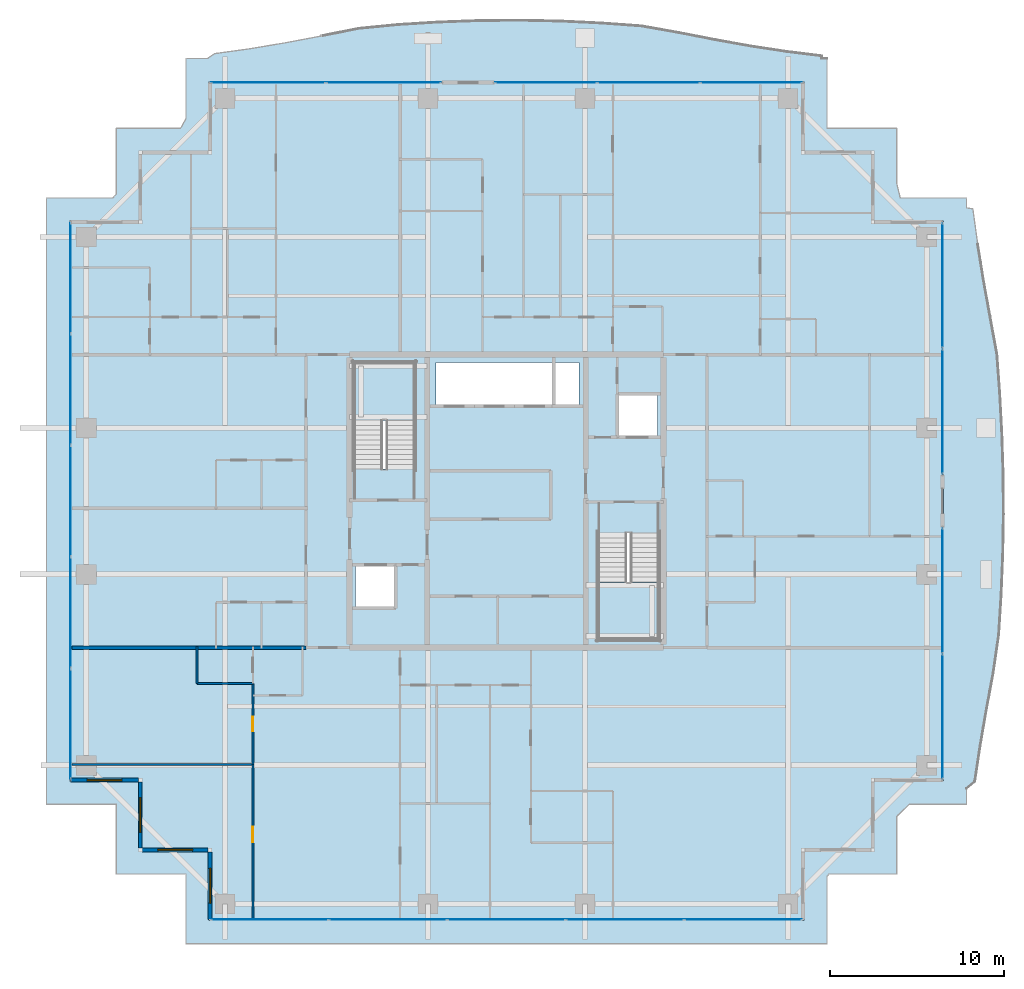
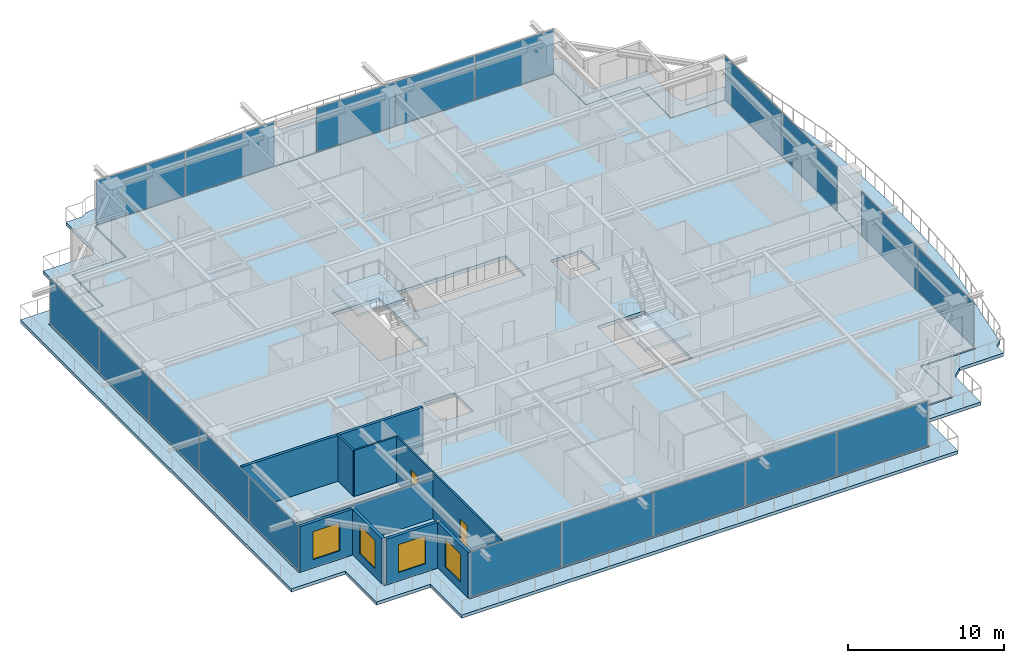
# One storey, part 25 of 37: 19 plates, 10 walls, 4 slabs, 4 windows, 2 doors, 6 openings, 8 elements without a shape of their own.
"""IFC4 building model written with IfcOpenShell, lengths in metres."""

from ifc_helpers import new_model, si_unit, direction, frame, frame_2d, origin, origin_2d, place, context, subcontext, project, spatial, polyline, rectangle, outline, extrude, source, transform, mapped, material, layer, layer_set, type_object, element, fill, aggregate, save


model = new_model("IFC4")

# Units and contexts
model_context = context("Model", 3, precision=1e-05, world=origin(), true_north=direction((0.0, 1.0)))
body_context = subcontext(model_context, "Body", "Model", "MODEL_VIEW")
ifc_project = project(units=[si_unit("LENGTHUNIT", "METRE"), si_unit("AREAUNIT", "SQUARE_METRE"), si_unit("VOLUMEUNIT", "CUBIC_METRE"), si_unit("PLANEANGLEUNIT", "RADIAN"), si_unit("MASSUNIT", "GRAM", prefix="KILO")], contexts=[model_context])

# Site, building, storey
site_placement = place(None, origin())
site = spatial("IfcSite", under=ifc_project, at=site_placement, CompositionType="ELEMENT")
building_placement = place(site_placement, origin())
building = spatial("IfcBuilding", under=site, at=building_placement, Name="Serunith Strait Residences", CompositionType="ELEMENT")
storey_placement = place(building_placement, frame((0.0, 0.0, 248.949951171875)))
storey = spatial("IfcBuildingStorey", under=building, at=storey_placement, Name="L62", CompositionType="ELEMENT", Elevation=248.949951171875)

# Slab
ifc_material_1 = material(Name="Concrete C50/60", Category="concrete")
ifc_layer_1 = layer(ifc_material_1, 0.239990234375, Name="Concrete C50/60")
ifc_layer_set_1 = layer_set([ifc_layer_1], Name="Concrete C50/60")
slab_type_1 = type_object("IfcSlabType", Name="SLB-BALC-240", PredefinedType="FLOOR", material=ifc_layer_set_1)
slab_1_placement = place(storey_placement, frame((0.0, 0.0, -0.2900390625)))
element("IfcSlab", 1, at=slab_1_placement, inside=storey, type_object=slab_type_1, Name="L62 Planted Vertical-Forest Balcony Slab", PredefinedType="FLOOR", context=body_context, shape_type="SweptSolid", body=[
    extrude(outline(polyline([(10.02001953125, 46.580078125), (13.707763671875, 46.580078125), (14.02001953125, 47.14453125), (14.02001953125, 50.580078125), (15.2509765625, 50.580078125), (15.65087890625, 50.8583984375), (17.673828125, 51.139404296875), (19.715576171875, 51.481201171875), (21.79443359375, 51.875732421875), (23.931640625, 52.298828125), (26.1865234375, 52.520263671875), (28.490478515625, 52.66162109375), (30.82177734375, 52.746826171875), (33.165771484375, 52.7666015625), (35.50537109375, 52.718017578125), (37.82421875, 52.6064453125), (40.109619140625, 52.443603515625), (42.286376953125, 52.060791015625), (44.384765625, 51.6494140625), (46.437255859375, 51.2822265625), (48.464111328125, 50.97412109375), (50.48095703125, 50.726318359375), (50.479736328125, 50.580078125), (50.780029296875, 50.580078125), (50.780029296875, 46.580078125), (54.780029296875, 46.580078125), (54.780029296875, 43.4013671875), (54.9794921875, 42.580078125), (58.780029296875, 42.580078125), (58.780029296875, 42.0185546875), (59.140380859375, 41.95751953125), (59.422119140625, 39.927001953125), (59.756103515625, 37.875), (60.13232421875, 35.784423828125), (60.526123046875, 33.637939453125), (60.69140625, 31.376953125), (60.813720703125, 29.083251953125), (60.88720703125, 26.766845703125), (60.90478515625, 24.43994140625), (60.86474609375, 22.1162109375), (60.7705078125, 19.8095703125), (60.6298828125, 17.531005859375), (60.31005859375, 15.33837890625), (59.92138671875, 13.228271484375), (59.565673828125, 11.164306640625), (59.259765625, 9.12890625), (58.780029296875, 8.723876953125), (58.780029296875, 7.820068359375), (55.517822265625, 7.820068359375), (54.780029296875, 7.1328125), (54.780029296875, 3.820068359375), (50.883544921875, 3.820068359375), (50.780029296875, 3.662109375), (50.780029296875, -0.179931640625), (14.02001953125, -0.179931640625), (14.02001953125, 3.820068359375), (10.02001953125, 3.820068359375), (10.02001953125, 7.820068359375), (6.02001953125, 7.820068359375), (6.02001953125, 42.580078125), (9.824951171875, 42.580078125), (10.02001953125, 42.802001953125), (10.02001953125, 46.580078125)]), holes=[polyline([(49.455078125, 1.14501953125), (49.455078125, 5.14501953125), (53.455078125, 5.14501953125), (53.455078125, 9.14501953125), (57.455078125, 9.14501953125), (57.455078125, 41.2548828125), (53.455078125, 41.2548828125), (53.455078125, 45.2548828125), (49.455078125, 45.2548828125), (49.455078125, 49.2548828125), (15.344970703125, 49.2548828125), (15.344970703125, 45.2548828125), (11.344970703125, 45.2548828125), (11.344970703125, 41.2548828125), (7.344970703125, 41.2548828125), (7.344970703125, 9.14501953125), (11.344970703125, 9.14501953125), (11.344970703125, 5.14501953125), (15.344970703125, 5.14501953125), (15.344970703125, 1.14501953125), (49.455078125, 1.14501953125)])]), origin(), (0.0, 0.0, 1.0), 0.239990234375),
])

# Stair, slab
stair_type_1 = type_object("IfcStairType", Name="STR-CORE-1", PredefinedType="HALF_TURN_STAIR", material=ifc_material_1)
stair_1_placement = place(storey_placement, origin())
stair_1 = element("IfcStair", 2, at=stair_1_placement, inside=storey, type_object=stair_type_1, Name="L62 Protected Escape Stair ST-1", PredefinedType="HALF_TURN_STAIR")
ifc_layer_2 = layer(ifc_material_1, 0.199951171875, Name="Concrete C50/60")
ifc_layer_set_2 = layer_set([ifc_layer_2], Name="Concrete C50/60")
slab_type_2 = type_object("IfcSlabType", Name="SLB-LAND-200", PredefinedType="LANDING", material=ifc_layer_set_2)
slab_2_placement = place(storey_placement, frame((0.0, 0.0, 1.72509765625)))
slab_2 = element("IfcSlab", 3, at=slab_2_placement, type_object=slab_type_2, Name="ST-1 landing 1", PredefinedType="LANDING", context=body_context, shape_type="SweptSolid", body=[
    extrude(outline(polyline([(27.14990234375, 29.830078125), (27.14990234375, 33.14990234375), (23.64990234375, 33.14990234375), (23.64990234375, 29.830078125), (27.14990234375, 29.830078125)])), origin(), (0.0, 0.0, 1.0), 0.199951171875),
])
aggregate(stair_1, [slab_2])

stair_type_2 = type_object("IfcStairType", Name="STR-CORE-2", PredefinedType="HALF_TURN_STAIR", material=ifc_material_1)
stair_2_placement = place(storey_placement, origin())
stair_2 = element("IfcStair", 4, at=stair_2_placement, inside=storey, type_object=stair_type_2, Name="L62 Protected Escape Stair ST-2", PredefinedType="HALF_TURN_STAIR")
slab_3_placement = place(storey_placement, frame((0.0, 0.0, 1.72509765625)))
slab_3 = element("IfcSlab", 5, at=slab_3_placement, type_object=slab_type_2, Name="ST-2 landing 1", PredefinedType="LANDING", context=body_context, shape_type="SweptSolid", body=[
    extrude(outline(polyline([(37.64990234375, 20.570068359375), (37.64990234375, 17.25), (41.14990234375, 17.25), (41.14990234375, 20.570068359375), (37.64990234375, 20.570068359375)])), origin(), (0.0, 0.0, 1.0), 0.199951171875),
])
aggregate(stair_2, [slab_3])

# Slab
ifc_material_2 = material(Name="Concrete C60/75", Category="concrete")
ifc_layer_3 = layer(ifc_material_2, 0.260009765625, Name="Concrete C60/75")
ifc_layer_set_3 = layer_set([ifc_layer_3], Name="Concrete C60/75")
slab_type_3 = type_object("IfcSlabType", Name="SLB-TWR-275-Z3", PredefinedType="FLOOR", material=ifc_layer_set_3)
slab_4_placement = place(storey_placement, frame((0.0, 0.0, -0.260009765625)))
element("IfcSlab", 6, at=slab_4_placement, inside=storey, type_object=slab_type_3, Name="L62 Structural Floor Plate", PredefinedType="FLOOR", context=body_context, shape_type="SweptSolid", body=[
    extrude(outline(polyline([(15.39990234375, 5.199951171875), (11.39990234375, 5.199951171875), (11.39990234375, 9.199951171875), (7.39990234375, 9.199951171875), (7.39990234375, 41.199951171875), (11.39990234375, 41.199951171875), (11.39990234375, 45.199951171875), (15.39990234375, 45.199951171875), (15.39990234375, 49.199951171875), (49.39990234375, 49.199951171875), (49.39990234375, 45.199951171875), (53.39990234375, 45.199951171875), (53.39990234375, 41.199951171875), (57.39990234375, 41.199951171875), (57.39990234375, 9.199951171875), (53.39990234375, 9.199951171875), (53.39990234375, 5.199951171875), (49.39990234375, 5.199951171875), (49.39990234375, 1.199951171875), (15.39990234375, 1.199951171875), (15.39990234375, 5.199951171875)]), holes=[polyline([(41.14990234375, 23.3701171875), (37.64990234375, 23.3701171875), (37.64990234375, 17.25), (41.14990234375, 17.25), (41.14990234375, 23.3701171875)]), polyline([(38.75, 31.25), (38.75, 28.85009765625), (41.050048828125, 28.85009765625), (41.050048828125, 31.25), (38.75, 31.25)]), polyline([(36.550048828125, 33.14990234375), (28.35009765625, 33.14990234375), (28.35009765625, 30.64990234375), (36.550048828125, 30.64990234375), (36.550048828125, 33.14990234375)]), polyline([(23.64990234375, 33.14990234375), (23.64990234375, 27.030029296875), (27.14990234375, 27.030029296875), (27.14990234375, 33.14990234375), (23.64990234375, 33.14990234375)]), polyline([(23.75, 21.550048828125), (23.75, 19.14990234375), (26.050048828125, 19.14990234375), (26.050048828125, 21.550048828125), (23.75, 21.550048828125)])]), origin(), (0.0, 0.0, 1.0), 0.260009765625),
])

# Curtain wall, plates
ifc_material_3 = material(Name="Pale-Champagne Anodised Aluminium", Category="aluminium")
ifc_layer_4 = layer(ifc_material_3, 0.199951171875, Name="Pale-Champagne Anodised Aluminium")
ifc_layer_set_4 = layer_set([ifc_layer_4], Name="Pale-Champagne Anodised Aluminium")
curtain_wall_type = type_object("IfcCurtainWallType", Name="CW-SYS4", PredefinedType="NOTDEFINED", material=ifc_layer_set_4)
curtain_wall_1_placement = place(storey_placement, origin())
curtain_wall_1 = element("IfcCurtainWall", 7, at=curtain_wall_1_placement, inside=storey, type_object=curtain_wall_type, Name="L62 W Unitised Fritted Curtain Wall", PredefinedType="NOTDEFINED")
ifc_material_4 = material(Name="Ceramic-Printed Solar-Control Glazing 28mm", Category="glass")
ifc_layer_5 = layer(ifc_material_4, 0.028076171875, Name="Ceramic-Printed Solar-Control Glazing 28mm")
ifc_layer_set_5 = layer_set([ifc_layer_5], Name="Ceramic-Printed Solar-Control Glazing 28mm")
plate_type = type_object("IfcPlateType", Name="CW-SYS4-PNL", PredefinedType="CURTAIN_PANEL", material=ifc_layer_set_5)
shared_shape_1 = source(origin(), body_context, "Body", "SweptSolid", [
    extrude(rectangle(XDim=6.302490234375, YDim=0.028076171875, at=origin_2d()), origin(), (0.0, 0.0, 1.0), 3.455078125),
])
plate_1_placement = place(storey_placement, frame((7.39990234375, 37.983642578125, 0.06005859375), z_axis=(0.0, 0.0, 1.0), x_axis=(0.0, -1.0, 0.0)))
plate_1 = element("IfcPlate", 8, at=plate_1_placement, type_object=plate_type, Name="CW-4 panel 1.1", PredefinedType="CURTAIN_PANEL", context=body_context, shape_type="MappedRepresentation", body=[
    mapped(shared_shape_1, transform((0.0, 0.0, 0.0), scale=1.0)),
])
plate_2_placement = place(storey_placement, frame((7.39990234375, 12.416259765625, 0.06005859375), z_axis=(0.0, 0.0, 1.0), x_axis=(0.0, -1.0, 0.0)))
plate_2 = element("IfcPlate", 9, at=plate_2_placement, type_object=plate_type, Name="CW-4 panel 5.1", PredefinedType="CURTAIN_PANEL", context=body_context, shape_type="MappedRepresentation", body=[
    mapped(shared_shape_1, transform((0.0, 0.0, 0.0), scale=1.0)),
])
shared_shape_2 = source(origin(), body_context, "Body", "SweptSolid", [
    extrude(rectangle(XDim=6.3349609375, YDim=0.028076171875, at=origin_2d()), origin(), (0.0, 0.0, 1.0), 3.455078125),
])
plate_3_placement = place(storey_placement, frame((7.39990234375, 31.60009765625, 0.06005859375), z_axis=(0.0, 0.0, 1.0), x_axis=(0.0, -1.0, 0.0)))
plate_3 = element("IfcPlate", 10, at=plate_3_placement, type_object=plate_type, Name="CW-4 panel 2.1", PredefinedType="CURTAIN_PANEL", context=body_context, shape_type="MappedRepresentation", body=[
    mapped(shared_shape_2, transform((0.0, 0.0, 0.0), scale=1.0)),
])
plate_4_placement = place(storey_placement, frame((7.39990234375, 25.199951171875, 0.06005859375), z_axis=(0.0, 0.0, 1.0), x_axis=(0.0, -1.0, 0.0)))
plate_4 = element("IfcPlate", 11, at=plate_4_placement, type_object=plate_type, Name="CW-4 panel 3.1", PredefinedType="CURTAIN_PANEL", context=body_context, shape_type="MappedRepresentation", body=[
    mapped(shared_shape_2, transform((0.0, 0.0, 0.0), scale=1.0)),
])
plate_5_placement = place(storey_placement, frame((7.39990234375, 18.800048828125, 0.06005859375), z_axis=(0.0, 0.0, 1.0), x_axis=(0.0, -1.0, 0.0)))
plate_5 = element("IfcPlate", 12, at=plate_5_placement, type_object=plate_type, Name="CW-4 panel 4.1", PredefinedType="CURTAIN_PANEL", context=body_context, shape_type="MappedRepresentation", body=[
    mapped(shared_shape_2, transform((0.0, 0.0, 0.0), scale=1.0)),
])
aggregate(curtain_wall_1, [plate_1, plate_3, plate_4, plate_5, plate_2])

curtain_wall_2_placement = place(storey_placement, origin())
curtain_wall_2 = element("IfcCurtainWall", 13, at=curtain_wall_2_placement, inside=storey, type_object=curtain_wall_type, Name="L62 S Unitised Fritted Curtain Wall", PredefinedType="NOTDEFINED")
shared_shape_3 = source(origin(), body_context, "Body", "SweptSolid", [
    extrude(rectangle(XDim=6.702392578125, YDim=0.028076171875, at=origin_2d()), origin(), (0.0, 0.0, 1.0), 3.455078125),
])
plate_6_placement = place(storey_placement, frame((18.816162109375, 1.199951171875, 0.06005859375), z_axis=(0.0, 0.0, 1.0), x_axis=(1.0, 0.0, 0.0)))
plate_6 = element("IfcPlate", 14, at=plate_6_placement, type_object=plate_type, Name="CW-4 panel 1.1", PredefinedType="CURTAIN_PANEL", context=body_context, shape_type="MappedRepresentation", body=[
    mapped(shared_shape_3, transform((0.0, 0.0, 0.0), scale=1.0)),
])
plate_7_placement = place(storey_placement, frame((45.983642578125, 1.199951171875, 0.06005859375), z_axis=(0.0, 0.0, 1.0), x_axis=(1.0, 0.0, 0.0)))
plate_7 = element("IfcPlate", 15, at=plate_7_placement, type_object=plate_type, Name="CW-4 panel 5.1", PredefinedType="CURTAIN_PANEL", context=body_context, shape_type="MappedRepresentation", body=[
    mapped(shared_shape_3, transform((0.0, 0.0, 0.0), scale=1.0)),
])
shared_shape_4 = source(origin(), body_context, "Body", "SweptSolid", [
    extrude(rectangle(XDim=6.735107421875, YDim=0.028076171875, at=origin_2d()), origin(), (0.0, 0.0, 1.0), 3.455078125),
])
plate_8_placement = place(storey_placement, frame((25.60009765625, 1.199951171875, 0.06005859375), z_axis=(0.0, 0.0, 1.0), x_axis=(1.0, 0.0, 0.0)))
plate_8 = element("IfcPlate", 16, at=plate_8_placement, type_object=plate_type, Name="CW-4 panel 2.1", PredefinedType="CURTAIN_PANEL", context=body_context, shape_type="MappedRepresentation", body=[
    mapped(shared_shape_4, transform((0.0, 0.0, 0.0), scale=1.0)),
])
plate_9_placement = place(storey_placement, frame((32.39990234375, 1.199951171875, 0.06005859375), z_axis=(0.0, 0.0, 1.0), x_axis=(1.0, 0.0, 0.0)))
plate_9 = element("IfcPlate", 17, at=plate_9_placement, type_object=plate_type, Name="CW-4 panel 3.1", PredefinedType="CURTAIN_PANEL", context=body_context, shape_type="MappedRepresentation", body=[
    mapped(shared_shape_4, transform((0.0, 0.0, 0.0), scale=1.0)),
])
plate_10_placement = place(storey_placement, frame((39.199951171875, 1.199951171875, 0.06005859375), z_axis=(0.0, 0.0, 1.0), x_axis=(1.0, 0.0, 0.0)))
plate_10 = element("IfcPlate", 18, at=plate_10_placement, type_object=plate_type, Name="CW-4 panel 4.1", PredefinedType="CURTAIN_PANEL", context=body_context, shape_type="MappedRepresentation", body=[
    mapped(shared_shape_4, transform((0.0, 0.0, 0.0), scale=1.0)),
])
aggregate(curtain_wall_2, [plate_6, plate_8, plate_9, plate_10, plate_7])

curtain_wall_3_placement = place(storey_placement, origin())
curtain_wall_3 = element("IfcCurtainWall", 19, at=curtain_wall_3_placement, inside=storey, type_object=curtain_wall_type, Name="L62 E Unitised Fritted Curtain Wall", PredefinedType="NOTDEFINED")
shared_shape_5 = source(origin(), body_context, "Body", "SweptSolid", [
    extrude(rectangle(XDim=7.152587890625, YDim=0.028076171875, at=origin_2d()), origin(), (0.0, 0.0, 1.0), 3.455078125),
])
plate_11_placement = place(storey_placement, frame((57.39990234375, 12.84130859375, 0.06005859375), z_axis=(0.0, 0.0, 1.0), x_axis=(0.0, 1.0, 0.0)))
plate_11 = element("IfcPlate", 20, at=plate_11_placement, type_object=plate_type, Name="CW-4 panel 1.1", PredefinedType="CURTAIN_PANEL", context=body_context, shape_type="MappedRepresentation", body=[
    mapped(shared_shape_5, transform((0.0, 0.0, 0.0), scale=1.0)),
])
plate_12_placement = place(storey_placement, frame((57.39990234375, 20.058837890625, 0.06005859375), z_axis=(0.0, 0.0, 1.0), x_axis=(0.0, 1.0, 0.0)))
plate_12 = element("IfcPlate", 21, at=plate_12_placement, type_object=plate_type, Name="CW-4 panel 2.1", PredefinedType="CURTAIN_PANEL", context=body_context, shape_type="MappedRepresentation", body=[
    mapped(shared_shape_5, transform((0.0, 0.0, 0.0), scale=1.0)),
])
aggregate(curtain_wall_3, [plate_11, plate_12])

curtain_wall_4_placement = place(storey_placement, origin())
curtain_wall_4 = element("IfcCurtainWall", 22, at=curtain_wall_4_placement, inside=storey, type_object=curtain_wall_type, Name="L62 E Unitised Fritted Curtain Wall", PredefinedType="NOTDEFINED")
plate_13_placement = place(storey_placement, frame((57.39990234375, 30.34130859375, 0.06005859375), z_axis=(0.0, 0.0, 1.0), x_axis=(0.0, 1.0, 0.0)))
plate_13 = element("IfcPlate", 23, at=plate_13_placement, type_object=plate_type, Name="CW-4 panel 1.1", PredefinedType="CURTAIN_PANEL", context=body_context, shape_type="MappedRepresentation", body=[
    mapped(shared_shape_5, transform((0.0, 0.0, 0.0), scale=1.0)),
])
plate_14_placement = place(storey_placement, frame((57.39990234375, 37.558837890625, 0.06005859375), z_axis=(0.0, 0.0, 1.0), x_axis=(0.0, 1.0, 0.0)))
plate_14 = element("IfcPlate", 24, at=plate_14_placement, type_object=plate_type, Name="CW-4 panel 2.1", PredefinedType="CURTAIN_PANEL", context=body_context, shape_type="MappedRepresentation", body=[
    mapped(shared_shape_5, transform((0.0, 0.0, 0.0), scale=1.0)),
])
aggregate(curtain_wall_4, [plate_13, plate_14])

curtain_wall_5_placement = place(storey_placement, origin())
curtain_wall_5 = element("IfcCurtainWall", 25, at=curtain_wall_5_placement, inside=storey, type_object=curtain_wall_type, Name="L62 N Unitised Fritted Curtain Wall", PredefinedType="NOTDEFINED")
shared_shape_6 = source(origin(), body_context, "Body", "SweptSolid", [
    extrude(rectangle(XDim=6.552490234375, YDim=0.028076171875, at=origin_2d()), origin(), (0.0, 0.0, 1.0), 3.455078125),
])
plate_15_placement = place(storey_placement, frame((25.358642578125, 49.199951171875, 0.06005859375), z_axis=(0.0, 0.0, 1.0), x_axis=(-1.0, 0.0, 0.0)))
plate_15 = element("IfcPlate", 26, at=plate_15_placement, type_object=plate_type, Name="CW-4 panel 1.1", PredefinedType="CURTAIN_PANEL", context=body_context, shape_type="MappedRepresentation", body=[
    mapped(shared_shape_6, transform((0.0, 0.0, 0.0), scale=1.0)),
])
plate_16_placement = place(storey_placement, frame((18.7412109375, 49.199951171875, 0.06005859375), z_axis=(0.0, 0.0, 1.0), x_axis=(-1.0, 0.0, 0.0)))
plate_16 = element("IfcPlate", 27, at=plate_16_placement, type_object=plate_type, Name="CW-4 panel 2.1", PredefinedType="CURTAIN_PANEL", context=body_context, shape_type="MappedRepresentation", body=[
    mapped(shared_shape_6, transform((0.0, 0.0, 0.0), scale=1.0)),
])
aggregate(curtain_wall_5, [plate_15, plate_16])

curtain_wall_6_placement = place(storey_placement, origin())
curtain_wall_6 = element("IfcCurtainWall", 28, at=curtain_wall_6_placement, inside=storey, type_object=curtain_wall_type, Name="L62 N Unitised Fritted Curtain Wall", PredefinedType="NOTDEFINED")
shared_shape_7 = source(origin(), body_context, "Body", "SweptSolid", [
    extrude(rectangle(XDim=5.802490234375, YDim=0.028076171875, at=origin_2d()), origin(), (0.0, 0.0, 1.0), 3.455078125),
])
plate_17_placement = place(storey_placement, frame((46.433837890625, 49.199951171875, 0.06005859375), z_axis=(0.0, 0.0, 1.0), x_axis=(-1.0, 0.0, 0.0)))
plate_17 = element("IfcPlate", 29, at=plate_17_placement, type_object=plate_type, Name="CW-4 panel 1.1", PredefinedType="CURTAIN_PANEL", context=body_context, shape_type="MappedRepresentation", body=[
    mapped(shared_shape_7, transform((0.0, 0.0, 0.0), scale=1.0)),
])
plate_18_placement = place(storey_placement, frame((34.666259765625, 49.199951171875, 0.06005859375), z_axis=(0.0, 0.0, 1.0), x_axis=(-1.0, 0.0, 0.0)))
plate_18 = element("IfcPlate", 30, at=plate_18_placement, type_object=plate_type, Name="CW-4 panel 3.1", PredefinedType="CURTAIN_PANEL", context=body_context, shape_type="MappedRepresentation", body=[
    mapped(shared_shape_7, transform((0.0, 0.0, 0.0), scale=1.0)),
])
shared_shape_8 = source(origin(), body_context, "Body", "SweptSolid", [
    extrude(rectangle(XDim=5.8349609375, YDim=0.028076171875, at=origin_2d()), origin(), (0.0, 0.0, 1.0), 3.455078125),
])
plate_19_placement = place(storey_placement, frame((40.550048828125, 49.199951171875, 0.06005859375), z_axis=(0.0, 0.0, 1.0), x_axis=(-1.0, 0.0, 0.0)))
plate_19 = element("IfcPlate", 31, at=plate_19_placement, type_object=plate_type, Name="CW-4 panel 2.1", PredefinedType="CURTAIN_PANEL", context=body_context, shape_type="MappedRepresentation", body=[
    mapped(shared_shape_8, transform((0.0, 0.0, 0.0), scale=1.0)),
])
aggregate(curtain_wall_6, [plate_17, plate_19, plate_18])

# Wall, opening, window
ifc_material_5 = material(Name="Pale-Champagne Aluminium Insulated Panel", Category="aluminium")
ifc_layer_6 = layer(ifc_material_5, 0.219970703125, Name="Pale-Champagne Aluminium Insulated Panel")
ifc_layer_set_6 = layer_set([ifc_layer_6], Name="Pale-Champagne Aluminium Insulated Panel")
wall_type_1 = type_object("IfcWallType", Name="EW-ALUM-220", PredefinedType="ELEMENTEDWALL", material=ifc_layer_set_6)
wall_1_placement = place(storey_placement, frame((7.39990234375, 9.199951171875, 0.0), z_axis=(0.0, 0.0, 1.0), x_axis=(1.0, 0.0, 0.0)))
wall_1 = element("IfcWall", 32, at=wall_1_placement, inside=storey, type_object=wall_type_1, Name="L62 Girih Serrated Corner Wall 17", PredefinedType="ELEMENTEDWALL", context=body_context, shape_type="SweptSolid", body=[
    extrude(rectangle(XDim=3.89013671875, YDim=0.219970703125, at=frame_2d((1.945068359375, 0.0))), origin(), (0.0, 0.0, 1.0), 3.574951171875),
])
opening_1_placement = place(wall_1_placement, frame((0.945068359375, 0.0, 0.64990234375)))
opening_1 = element("IfcOpeningElement", 33, at=opening_1_placement, cuts=wall_1, Name="Opening W-04", PredefinedType="OPENING", context=body_context, shape_type="SweptSolid", body=[
    extrude(rectangle(XDim=2.0, YDim=2.199951171875, at=frame_2d((1.0, 1.10009765625))), frame((0.0, 0.1201171875, 0.0), z_axis=(0.0, -1.0, 0.0), x_axis=(1.0, 0.0, 0.0)), (0.0, 0.0, 1.0), 0.239990234375),
])
ifc_material_6 = material(Name="Ceramic-Fritted Operable Aluminium Window Glass", Category="aluminium")
window_type = type_object("IfcWindowType", Name="WIN-C4", PartitioningType="TRIPLE_PANEL_VERTICAL", PredefinedType="WINDOW", material=ifc_material_6)
shared_shape_9 = source(origin(), body_context, "Body", "SweptSolid", [
    extrude(rectangle(XDim=2.0, YDim=2.199951171875, at=frame_2d((1.0, 1.10009765625))), frame((0.0, 0.030029296875, 0.0), z_axis=(0.0, -1.0, 0.0), x_axis=(1.0, 0.0, 0.0)), (0.0, 0.0, 1.0), 0.06005859375),
])
window_1_placement = place(opening_1_placement, origin())
window_1 = element("IfcWindow", 34, at=window_1_placement, inside=storey, type_object=window_type, Name="L62 Corner Operable Fritted Window 17", OverallHeight=2.199951171875, OverallWidth=2.0, PartitioningType="SINGLE_PANEL", PredefinedType="WINDOW", context=body_context, shape_type="MappedRepresentation", body=[
    mapped(shared_shape_9, transform((0.0, 0.0, 0.0), scale=1.0)),
])
fill(opening_1, window_1)

wall_2_placement = place(storey_placement, frame((11.39990234375, 9.090087890625, 0.0), z_axis=(0.0, 0.0, 1.0), x_axis=(0.0, -1.0, 0.0)))
wall_2 = element("IfcWall", 35, at=wall_2_placement, inside=storey, type_object=wall_type_1, Name="L62 Girih Serrated Corner Wall 18", PredefinedType="ELEMENTEDWALL", context=body_context, shape_type="SweptSolid", body=[
    extrude(rectangle(XDim=3.780029296875, YDim=0.219970703125, at=frame_2d((1.89013671875, 0.0))), origin(), (0.0, 0.0, 1.0), 3.574951171875),
])
opening_2_placement = place(wall_2_placement, frame((0.889892578125, 0.0, 0.64990234375)))
opening_2 = element("IfcOpeningElement", 36, at=opening_2_placement, cuts=wall_2, Name="Opening W-04", PredefinedType="OPENING", context=body_context, shape_type="SweptSolid", body=[
    extrude(rectangle(XDim=2.0, YDim=2.199951171875, at=frame_2d((1.0, 1.10009765625))), frame((0.0, 0.1201171875, 0.0), z_axis=(0.0, -1.0, 0.0), x_axis=(1.0, 0.0, 0.0)), (0.0, 0.0, 1.0), 0.239990234375),
])
window_2_placement = place(opening_2_placement, origin())
window_2 = element("IfcWindow", 37, at=window_2_placement, inside=storey, type_object=window_type, Name="L62 Corner Operable Fritted Window 18", OverallHeight=2.199951171875, OverallWidth=2.0, PartitioningType="SINGLE_PANEL", PredefinedType="WINDOW", context=body_context, shape_type="MappedRepresentation", body=[
    mapped(shared_shape_9, transform((0.0, 0.0, 0.0), scale=1.0)),
])
fill(opening_2, window_2)

wall_3_placement = place(storey_placement, frame((11.510009765625, 5.199951171875, 0.0), z_axis=(0.0, 0.0, 1.0), x_axis=(1.0, 0.0, 0.0)))
wall_3 = element("IfcWall", 38, at=wall_3_placement, inside=storey, type_object=wall_type_1, Name="L62 Girih Serrated Corner Wall 19", PredefinedType="ELEMENTEDWALL", context=body_context, shape_type="SweptSolid", body=[
    extrude(rectangle(XDim=3.780029296875, YDim=0.219970703125, at=frame_2d((1.89013671875, 0.0))), origin(), (0.0, 0.0, 1.0), 3.574951171875),
])
opening_3_placement = place(wall_3_placement, frame((0.889892578125, 0.0, 0.64990234375)))
opening_3 = element("IfcOpeningElement", 39, at=opening_3_placement, cuts=wall_3, Name="Opening W-04", PredefinedType="OPENING", context=body_context, shape_type="SweptSolid", body=[
    extrude(rectangle(XDim=2.0, YDim=2.199951171875, at=frame_2d((1.0, 1.10009765625))), frame((0.0, 0.1201171875, 0.0), z_axis=(0.0, -1.0, 0.0), x_axis=(1.0, 0.0, 0.0)), (0.0, 0.0, 1.0), 0.239990234375),
])
window_3_placement = place(opening_3_placement, origin())
window_3 = element("IfcWindow", 40, at=window_3_placement, inside=storey, type_object=window_type, Name="L62 Corner Operable Fritted Window 19", OverallHeight=2.199951171875, OverallWidth=2.0, PartitioningType="SINGLE_PANEL", PredefinedType="WINDOW", context=body_context, shape_type="MappedRepresentation", body=[
    mapped(shared_shape_9, transform((0.0, 0.0, 0.0), scale=1.0)),
])
fill(opening_3, window_3)

wall_4_placement = place(storey_placement, frame((15.39990234375, 5.090087890625, 0.0), z_axis=(0.0, 0.0, 1.0), x_axis=(0.0, -1.0, 0.0)))
wall_4 = element("IfcWall", 41, at=wall_4_placement, inside=storey, type_object=wall_type_1, Name="L62 Girih Serrated Corner Wall 20", PredefinedType="ELEMENTEDWALL", context=body_context, shape_type="SweptSolid", body=[
    extrude(rectangle(XDim=3.89013671875, YDim=0.219970703125, at=frame_2d((1.945068359375, 0.0))), origin(), (0.0, 0.0, 1.0), 3.574951171875),
])
opening_4_placement = place(wall_4_placement, frame((0.945068359375, 0.0, 0.64990234375)))
opening_4 = element("IfcOpeningElement", 42, at=opening_4_placement, cuts=wall_4, Name="Opening W-04", PredefinedType="OPENING", context=body_context, shape_type="SweptSolid", body=[
    extrude(rectangle(XDim=2.0, YDim=2.199951171875, at=frame_2d((1.0, 1.10009765625))), frame((0.0, 0.1201171875, 0.0), z_axis=(0.0, -1.0, 0.0), x_axis=(1.0, 0.0, 0.0)), (0.0, 0.0, 1.0), 0.239990234375),
])
window_4_placement = place(opening_4_placement, origin())
window_4 = element("IfcWindow", 43, at=window_4_placement, inside=storey, type_object=window_type, Name="L62 Corner Operable Fritted Window 20", OverallHeight=2.199951171875, OverallWidth=2.0, PartitioningType="SINGLE_PANEL", PredefinedType="WINDOW", context=body_context, shape_type="MappedRepresentation", body=[
    mapped(shared_shape_9, transform((0.0, 0.0, 0.0), scale=1.0)),
])
fill(opening_4, window_4)

# Wall, opening, door
ifc_material_7 = material(Name="Lightweight steel-stud gypsum partition", Category="steel")
ifc_layer_7 = layer(ifc_material_7, 0.1201171875, Name="Lightweight steel-stud gypsum partition")
ifc_layer_set_7 = layer_set([ifc_layer_7], Name="Lightweight steel-stud gypsum partition")
wall_type_2 = type_object("IfcWallType", Name="IW-PART-120", PredefinedType="PARTITIONING", material=ifc_layer_set_7)
wall_5_placement = place(storey_placement, frame((17.85009765625, 1.294921875, 0.0), z_axis=(0.0, 0.0, 1.0), x_axis=(0.0, 1.0, 0.0)))
wall_5 = element("IfcWall", 44, at=wall_5_placement, inside=storey, type_object=wall_type_2, Name="L62 Partition Wall 032", PredefinedType="PARTITIONING", context=body_context, shape_type="SweptSolid", body=[
    extrude(rectangle(XDim=8.799072265625, YDim=0.1201171875, at=frame_2d((4.3994140625, 0.0))), origin(), (0.0, 0.0, 1.0), 3.590087890625),
])
opening_5_placement = place(wall_5_placement, frame((4.343994140625, 0.0, 0.0)))
opening_5 = element("IfcOpeningElement", 45, at=opening_5_placement, cuts=wall_5, Name="Opening D-RM900", PredefinedType="OPENING", context=body_context, shape_type="SweptSolid", body=[
    extrude(rectangle(XDim=0.89990234375, YDim=2.10009765625, at=frame_2d((0.449951171875, 1.050048828125))), frame((0.0, 0.070068359375, 0.0), z_axis=(0.0, -1.0, 0.0), x_axis=(1.0, 0.0, 0.0)), (0.0, 0.0, 1.0), 0.14013671875),
])
ifc_material_8 = material(Name="Engineered timber flush bedroom door", Category="wood")
door_type_1 = type_object("IfcDoorType", Name="ID-ROOM-900", OperationType="NOTDEFINED", PredefinedType="DOOR", material=ifc_material_8)
shared_shape_10 = source(origin(), body_context, "Body", "SweptSolid", [
    extrude(rectangle(XDim=0.89990234375, YDim=2.10009765625, at=frame_2d((0.449951171875, 1.050048828125))), frame((0.0, 0.02490234375, 0.0), z_axis=(0.0, -1.0, 0.0), x_axis=(1.0, 0.0, 0.0)), (0.0, 0.0, 1.0), 0.050048828125),
])
door_1_placement = place(opening_5_placement, origin())
door_1 = element("IfcDoor", 46, at=door_1_placement, inside=storey, type_object=door_type_1, Name="L62 Master Bedroom 1 6201 Door", OperationType="SINGLE_SWING_RIGHT", OverallHeight=2.10009765625, OverallWidth=0.89990234375, PredefinedType="DOOR", context=body_context, shape_type="MappedRepresentation", body=[
    mapped(shared_shape_10, transform((0.0, 0.0, 0.0), scale=1.0)),
])
fill(opening_5, door_1)

# Walls
wall_6_placement = place(storey_placement, frame((7.4951171875, 10.093994140625, 0.0), z_axis=(0.0, 0.0, 1.0), x_axis=(1.0, 0.0, 0.0)))
element("IfcWall", 47, at=wall_6_placement, inside=storey, type_object=wall_type_2, Name="L62 Partition Wall 033", PredefinedType="PARTITIONING", context=body_context, shape_type="SweptSolid", body=[
    extrude(rectangle(XDim=10.35498046875, YDim=0.1201171875, at=frame_2d((5.177490234375, 0.0))), origin(), (0.0, 0.0, 1.0), 3.1220703125),
])
wall_7_placement = place(storey_placement, frame((14.64990234375, 14.75, 0.0), z_axis=(0.0, 0.0, 1.0), x_axis=(1.0, 0.0, 0.0)))
element("IfcWall", 48, at=wall_7_placement, inside=storey, type_object=wall_type_2, Name="L62 Partition Wall 034", PredefinedType="PARTITIONING", context=body_context, shape_type="SweptSolid", body=[
    extrude(rectangle(XDim=3.2001953125, YDim=0.1201171875, at=frame_2d((1.60009765625, 0.0))), origin(), (0.0, 0.0, 1.0), 3.590087890625),
])
wall_8_placement = place(storey_placement, frame((14.64990234375, 14.75, 0.0), z_axis=(0.0, 0.0, 1.0), x_axis=(0.0, 1.0, 0.0)))
element("IfcWall", 49, at=wall_8_placement, inside=storey, type_object=wall_type_2, Name="L62 Partition Wall 035", PredefinedType="PARTITIONING", context=body_context, shape_type="SweptSolid", body=[
    extrude(rectangle(XDim=2.110107421875, YDim=0.1201171875, at=frame_2d((1.05517578125, 0.0))), origin(), (0.0, 0.0, 1.0), 3.590087890625),
])

# Wall, opening, door
wall_9_placement = place(storey_placement, frame((17.85009765625, 10.095947265625, 0.0), z_axis=(0.0, 0.0, 1.0), x_axis=(0.0, 1.0, 0.0)))
wall_9 = element("IfcWall", 50, at=wall_9_placement, inside=storey, type_object=wall_type_2, Name="L62 Partition Wall 036", PredefinedType="PARTITIONING", context=body_context, shape_type="SweptSolid", body=[
    extrude(rectangle(XDim=4.654052734375, YDim=0.1201171875, at=frame_2d((2.3271484375, 0.0))), origin(), (0.0, 0.0, 1.0), 3.590087890625),
])
opening_6_placement = place(wall_9_placement, frame((1.902099609375, 0.0, 0.0)))
opening_6 = element("IfcOpeningElement", 51, at=opening_6_placement, cuts=wall_9, Name="Opening D-RM850", PredefinedType="OPENING", context=body_context, shape_type="SweptSolid", body=[
    extrude(rectangle(XDim=0.85009765625, YDim=2.10009765625, at=frame_2d((0.425048828125, 1.050048828125))), frame((0.0, 0.070068359375, 0.0), z_axis=(0.0, -1.0, 0.0), x_axis=(1.0, 0.0, 0.0)), (0.0, 0.0, 1.0), 0.14013671875),
])
ifc_material_9 = material(Name="Engineered timber flush study and kitchen door", Category="wood")
door_type_2 = type_object("IfcDoorType", Name="ID-ROOM-850", OperationType="NOTDEFINED", PredefinedType="DOOR", material=ifc_material_9)
shared_shape_11 = source(origin(), body_context, "Body", "SweptSolid", [
    extrude(rectangle(XDim=0.85009765625, YDim=2.10009765625, at=frame_2d((0.425048828125, 1.050048828125))), frame((0.0, 0.02490234375, 0.0), z_axis=(0.0, -1.0, 0.0), x_axis=(1.0, 0.0, 0.0)), (0.0, 0.0, 1.0), 0.050048828125),
])
door_2_placement = place(opening_6_placement, origin())
door_2 = element("IfcDoor", 52, at=door_2_placement, inside=storey, type_object=door_type_2, Name="L62 Walk-in Wardrobe 6201 Door", OperationType="SINGLE_SWING_LEFT", OverallHeight=2.10009765625, OverallWidth=0.85009765625, PredefinedType="DOOR", context=body_context, shape_type="MappedRepresentation", body=[
    mapped(shared_shape_11, transform((0.0, 0.0, 0.0), scale=1.0)),
])
fill(opening_6, door_2)

# Wall
ifc_material_10 = material(Name="Twin-stud acoustic gypsum board partition")
ifc_layer_8 = layer(ifc_material_10, 0.199951171875, Name="Twin-stud acoustic gypsum board partition")
ifc_layer_set_8 = layer_set([ifc_layer_8], Name="Twin-stud acoustic gypsum board partition")
wall_type_3 = type_object("IfcWallType", Name="IW-PARTY-200", PredefinedType="PARTITIONING", material=ifc_layer_set_8)
wall_10_placement = place(storey_placement, frame((7.48193359375, 16.800048828125, 0.0), z_axis=(0.0, 0.0, 1.0), x_axis=(1.0, 0.0, 0.0)))
element("IfcWall", 53, at=wall_10_placement, inside=storey, type_object=wall_type_3, Name="L62 Partition Wall 020", PredefinedType="PARTITIONING", context=body_context, shape_type="SweptSolid", body=[
    extrude(rectangle(XDim=13.41796875, YDim=0.199951171875, at=frame_2d((6.708984375, 0.0))), origin(), (0.0, 0.0, 1.0), 3.590087890625),
])

save(model, "model.ifc")
